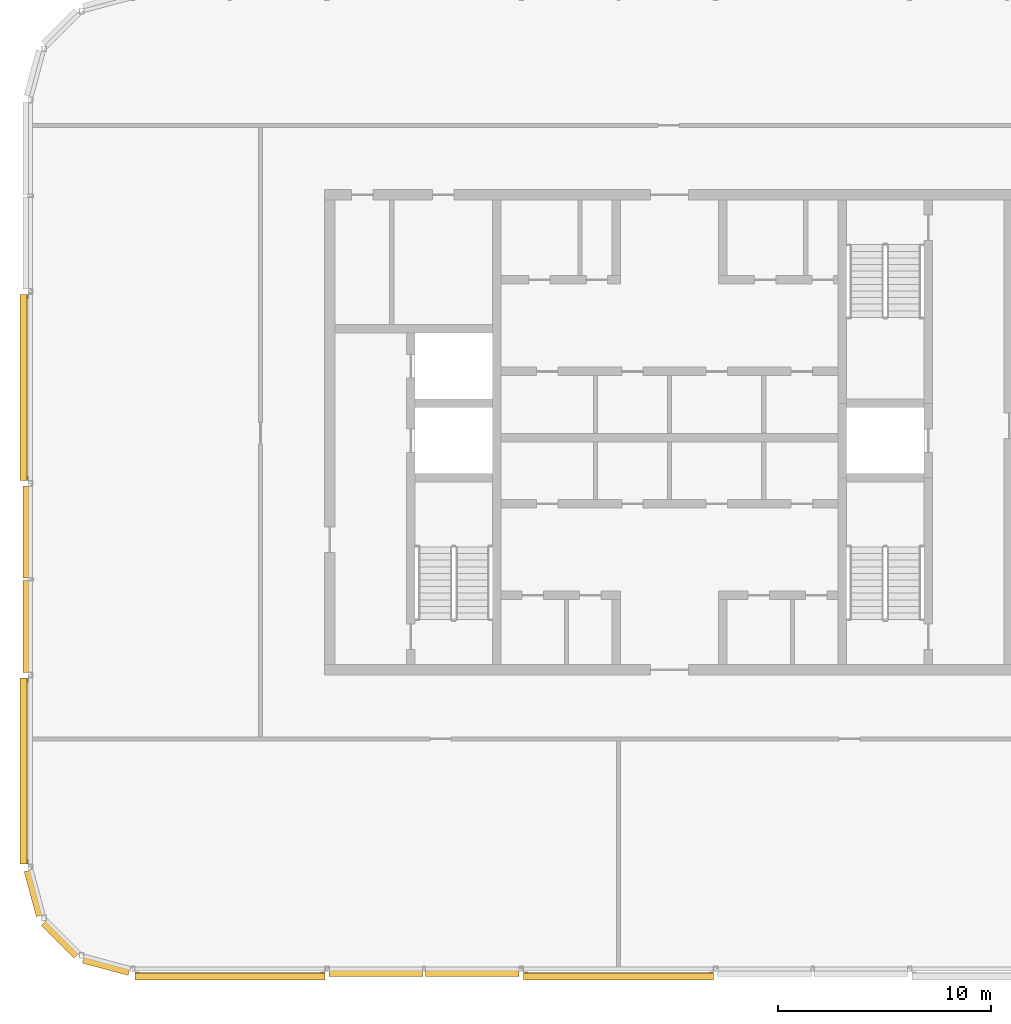
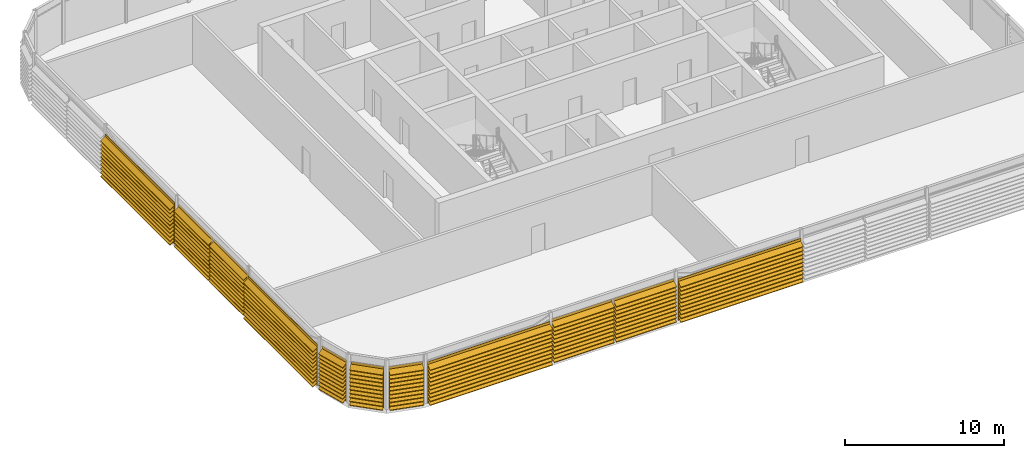
# One storey, part 24 of 28: 11 shading devices.
"""IFC4 building model written with IfcOpenShell, lengths in metres."""

from ifc_helpers import new_model, si_unit, direction, frame, origin, place, context, subcontext, project, spatial, polyline, outline, extrude, material, type_object, element, save


model = new_model("IFC4")

# Units and contexts
model_context = context("Model", 3, precision=1e-05, world=origin(), true_north=direction((0.0, 1.0)))
body_context = subcontext(model_context, "Body", "Model", "MODEL_VIEW")
ifc_project = project(units=[si_unit("LENGTHUNIT", "METRE"), si_unit("AREAUNIT", "SQUARE_METRE"), si_unit("VOLUMEUNIT", "CUBIC_METRE"), si_unit("PLANEANGLEUNIT", "RADIAN"), si_unit("MASSUNIT", "GRAM", prefix="KILO")], contexts=[model_context])

# Site, building, storey
site_placement = place(None, origin())
site = spatial("IfcSite", under=ifc_project, at=site_placement, CompositionType="ELEMENT")
building_placement = place(site_placement, origin())
building = spatial("IfcBuilding", under=site, at=building_placement, Name="Madar Terraces", CompositionType="ELEMENT")
storey_placement = place(building_placement, frame((0.0, 0.0, 310.10009765625)))
storey = spatial("IfcBuildingStorey", under=building, at=storey_placement, Name="L80", CompositionType="ELEMENT", Elevation=310.10009765625)

# Shading devices
ifc_material = material(Name="Aluminium, black anodised", Category="aluminium")
shading_device_type = type_object("IfcShadingDeviceType", Name="Crown louvre bank", PredefinedType="USERDEFINED", material=ifc_material)
shading_device_1_placement = place(storey_placement, frame((6.1015625, 1.199951171875, 0.0), z_axis=(1.0, 0.0, 0.0), x_axis=(0.0, 1.0, 0.0)))
element("IfcShadingDevice", 1, at=shading_device_1_placement, inside=storey, type_object=shading_device_type, Name="LOUVRE bank L80 1.1", ObjectType="LOUVRE", PredefinedType="USERDEFINED", context=body_context, shape_type="SweptSolid", body=[
    extrude(outline(polyline([(-0.156982421875, 0.0), (-0.18701171875, 0.0), (-0.18701171875, 0.24951171875), (-0.5146484375, 0.02001953125), (-0.5146484375, 0.06884765625), (-0.18701171875, 0.29833984375), (-0.18701171875, 0.54931640625), (-0.5146484375, 0.320068359375), (-0.5146484375, 0.368896484375), (-0.18701171875, 0.59814453125), (-0.18701171875, 0.849365234375), (-0.5146484375, 0.6201171875), (-0.5146484375, 0.6689453125), (-0.18701171875, 0.898193359375), (-0.18701171875, 1.1494140625), (-0.5146484375, 0.919921875), (-0.5146484375, 0.96875), (-0.18701171875, 1.1982421875), (-0.18701171875, 1.449462890625), (-0.5146484375, 1.219970703125), (-0.5146484375, 1.268798828125), (-0.18701171875, 1.498291015625), (-0.18701171875, 1.74951171875), (-0.5146484375, 1.52001953125), (-0.5146484375, 1.56884765625), (-0.18701171875, 1.79833984375), (-0.18701171875, 2.04931640625), (-0.5146484375, 1.820068359375), (-0.5146484375, 1.868896484375), (-0.18701171875, 2.09814453125), (-0.18701171875, 2.349365234375), (-0.5146484375, 2.1201171875), (-0.5146484375, 2.1689453125), (-0.18701171875, 2.398193359375), (-0.18701171875, 2.6494140625), (-0.5146484375, 2.419921875), (-0.5146484375, 2.46875), (-0.18701171875, 2.6982421875), (-0.18701171875, 2.949462890625), (-0.5146484375, 2.719970703125), (-0.5146484375, 2.768798828125), (-0.18701171875, 2.998291015625), (-0.18701171875, 3.197998046875), (-0.156982421875, 3.197998046875), (-0.156982421875, 0.0)])), origin(), (0.0, 0.0, 1.0), 8.916748046875),
])
shading_device_2_placement = place(storey_placement, frame((15.2216796875, 1.199951171875, 0.0), z_axis=(1.0, 0.0, 0.0), x_axis=(0.0, 1.0, 0.0)))
element("IfcShadingDevice", 2, at=shading_device_2_placement, inside=storey, type_object=shading_device_type, Name="LOUVRE bank L80 2.1", ObjectType="LOUVRE", PredefinedType="USERDEFINED", context=body_context, shape_type="SweptSolid", body=[
    extrude(outline(polyline([(0.014892578125, 0.0), (-0.014892578125, 0.0), (-0.014892578125, 0.24951171875), (-0.3427734375, 0.02001953125), (-0.3427734375, 0.06884765625), (-0.014892578125, 0.29833984375), (-0.014892578125, 0.54931640625), (-0.3427734375, 0.320068359375), (-0.3427734375, 0.368896484375), (-0.014892578125, 0.59814453125), (-0.014892578125, 0.849365234375), (-0.3427734375, 0.6201171875), (-0.3427734375, 0.6689453125), (-0.014892578125, 0.898193359375), (-0.014892578125, 1.1494140625), (-0.3427734375, 0.919921875), (-0.3427734375, 0.96875), (-0.014892578125, 1.1982421875), (-0.014892578125, 1.449462890625), (-0.3427734375, 1.219970703125), (-0.3427734375, 1.268798828125), (-0.014892578125, 1.498291015625), (-0.014892578125, 1.74951171875), (-0.3427734375, 1.52001953125), (-0.3427734375, 1.56884765625), (-0.014892578125, 1.79833984375), (-0.014892578125, 2.04931640625), (-0.3427734375, 1.820068359375), (-0.3427734375, 1.868896484375), (-0.014892578125, 2.09814453125), (-0.014892578125, 2.349365234375), (-0.3427734375, 2.1201171875), (-0.3427734375, 2.1689453125), (-0.014892578125, 2.398193359375), (-0.014892578125, 2.6494140625), (-0.3427734375, 2.419921875), (-0.3427734375, 2.46875), (-0.014892578125, 2.6982421875), (-0.014892578125, 2.949462890625), (-0.3427734375, 2.719970703125), (-0.3427734375, 2.768798828125), (-0.014892578125, 2.998291015625), (-0.014892578125, 3.197998046875), (0.014892578125, 3.197998046875), (0.014892578125, 0.0)])), origin(), (0.0, 0.0, 1.0), 4.394775390625),
])
shading_device_3_placement = place(storey_placement, frame((19.743408203125, 1.199951171875, 0.0), z_axis=(1.0, 0.0, 0.0), x_axis=(0.0, 1.0, 0.0)))
element("IfcShadingDevice", 3, at=shading_device_3_placement, inside=storey, type_object=shading_device_type, Name="LOUVRE bank L80 2.2", ObjectType="LOUVRE", PredefinedType="USERDEFINED", context=body_context, shape_type="SweptSolid", body=[
    extrude(outline(polyline([(0.014892578125, 0.0), (-0.014892578125, 0.0), (-0.014892578125, 0.24951171875), (-0.3427734375, 0.02001953125), (-0.3427734375, 0.06884765625), (-0.014892578125, 0.29833984375), (-0.014892578125, 0.54931640625), (-0.3427734375, 0.320068359375), (-0.3427734375, 0.368896484375), (-0.014892578125, 0.59814453125), (-0.014892578125, 0.849365234375), (-0.3427734375, 0.6201171875), (-0.3427734375, 0.6689453125), (-0.014892578125, 0.898193359375), (-0.014892578125, 1.1494140625), (-0.3427734375, 0.919921875), (-0.3427734375, 0.96875), (-0.014892578125, 1.1982421875), (-0.014892578125, 1.449462890625), (-0.3427734375, 1.219970703125), (-0.3427734375, 1.268798828125), (-0.014892578125, 1.498291015625), (-0.014892578125, 1.74951171875), (-0.3427734375, 1.52001953125), (-0.3427734375, 1.56884765625), (-0.014892578125, 1.79833984375), (-0.014892578125, 2.04931640625), (-0.3427734375, 1.820068359375), (-0.3427734375, 1.868896484375), (-0.014892578125, 2.09814453125), (-0.014892578125, 2.349365234375), (-0.3427734375, 2.1201171875), (-0.3427734375, 2.1689453125), (-0.014892578125, 2.398193359375), (-0.014892578125, 2.6494140625), (-0.3427734375, 2.419921875), (-0.3427734375, 2.46875), (-0.014892578125, 2.6982421875), (-0.014892578125, 2.949462890625), (-0.3427734375, 2.719970703125), (-0.3427734375, 2.768798828125), (-0.014892578125, 2.998291015625), (-0.014892578125, 3.197998046875), (0.014892578125, 3.197998046875), (0.014892578125, 0.0)])), origin(), (0.0, 0.0, 1.0), 4.39501953125),
])
shading_device_4_placement = place(storey_placement, frame((24.341552734375, 1.199951171875, 0.0), z_axis=(1.0, 0.0, 0.0), x_axis=(0.0, 1.0, 0.0)))
element("IfcShadingDevice", 4, at=shading_device_4_placement, inside=storey, type_object=shading_device_type, Name="LOUVRE bank L80 3.1", ObjectType="LOUVRE", PredefinedType="USERDEFINED", context=body_context, shape_type="SweptSolid", body=[
    extrude(outline(polyline([(-0.156982421875, 0.0), (-0.18701171875, 0.0), (-0.18701171875, 0.24951171875), (-0.5146484375, 0.02001953125), (-0.5146484375, 0.06884765625), (-0.18701171875, 0.29833984375), (-0.18701171875, 0.54931640625), (-0.5146484375, 0.320068359375), (-0.5146484375, 0.368896484375), (-0.18701171875, 0.59814453125), (-0.18701171875, 0.849365234375), (-0.5146484375, 0.6201171875), (-0.5146484375, 0.6689453125), (-0.18701171875, 0.898193359375), (-0.18701171875, 1.1494140625), (-0.5146484375, 0.919921875), (-0.5146484375, 0.96875), (-0.18701171875, 1.1982421875), (-0.18701171875, 1.449462890625), (-0.5146484375, 1.219970703125), (-0.5146484375, 1.268798828125), (-0.18701171875, 1.498291015625), (-0.18701171875, 1.74951171875), (-0.5146484375, 1.52001953125), (-0.5146484375, 1.56884765625), (-0.18701171875, 1.79833984375), (-0.18701171875, 2.04931640625), (-0.5146484375, 1.820068359375), (-0.5146484375, 1.868896484375), (-0.18701171875, 2.09814453125), (-0.18701171875, 2.349365234375), (-0.5146484375, 2.1201171875), (-0.5146484375, 2.1689453125), (-0.18701171875, 2.398193359375), (-0.18701171875, 2.6494140625), (-0.5146484375, 2.419921875), (-0.5146484375, 2.46875), (-0.18701171875, 2.6982421875), (-0.18701171875, 2.949462890625), (-0.5146484375, 2.719970703125), (-0.5146484375, 2.768798828125), (-0.18701171875, 2.998291015625), (-0.18701171875, 3.197998046875), (-0.156982421875, 3.197998046875), (-0.156982421875, 0.0)])), origin(), (0.0, 0.0, 1.0), 8.916748046875),
])
shading_device_5_placement = place(storey_placement, frame((1.199951171875, 32.873046875, 0.0), z_axis=(0.0, -1.0, 0.0), x_axis=(1.0, 0.0, 0.0)))
element("IfcShadingDevice", 5, at=shading_device_5_placement, inside=storey, type_object=shading_device_type, Name="LOUVRE bank L80 25.1", ObjectType="LOUVRE", PredefinedType="USERDEFINED", context=body_context, shape_type="SweptSolid", body=[
    extrude(outline(polyline([(-0.131591796875, 0.0), (-0.16162109375, 0.0), (-0.16162109375, 0.24951171875), (-0.4892578125, 0.02001953125), (-0.4892578125, 0.06884765625), (-0.16162109375, 0.29833984375), (-0.16162109375, 0.54931640625), (-0.4892578125, 0.320068359375), (-0.4892578125, 0.368896484375), (-0.16162109375, 0.59814453125), (-0.16162109375, 0.849365234375), (-0.4892578125, 0.6201171875), (-0.4892578125, 0.6689453125), (-0.16162109375, 0.898193359375), (-0.16162109375, 1.1494140625), (-0.4892578125, 0.919921875), (-0.4892578125, 0.96875), (-0.16162109375, 1.1982421875), (-0.16162109375, 1.449462890625), (-0.4892578125, 1.219970703125), (-0.4892578125, 1.268798828125), (-0.16162109375, 1.498291015625), (-0.16162109375, 1.74951171875), (-0.4892578125, 1.52001953125), (-0.4892578125, 1.56884765625), (-0.16162109375, 1.79833984375), (-0.16162109375, 2.04931640625), (-0.4892578125, 1.820068359375), (-0.4892578125, 1.868896484375), (-0.16162109375, 2.09814453125), (-0.16162109375, 2.349365234375), (-0.4892578125, 2.1201171875), (-0.4892578125, 2.1689453125), (-0.16162109375, 2.398193359375), (-0.16162109375, 2.6494140625), (-0.4892578125, 2.419921875), (-0.4892578125, 2.46875), (-0.16162109375, 2.6982421875), (-0.16162109375, 2.949462890625), (-0.4892578125, 2.719970703125), (-0.4892578125, 2.768798828125), (-0.16162109375, 2.998291015625), (-0.16162109375, 3.197998046875), (-0.131591796875, 3.197998046875), (-0.131591796875, 0.0)])), origin(), (0.0, 0.0, 1.0), 8.74609375),
])
for number, where, z_axis, x_axis, name in (
    (6, (1.199951171875, 23.873046875, 0.0), (0.0, -1.0, 0.0), (1.0, 0.0, 0.0), "LOUVRE bank L80 26.1"),
    (7, (1.199951171875, 19.4365234375, 0.0), (0.0, -1.0, 0.0), (1.0, 0.0, 0.0), "LOUVRE bank L80 26.2"),
):
    element("IfcShadingDevice", number, at=place(storey_placement, frame(where, z_axis=z_axis, x_axis=x_axis)), inside=storey, type_object=shading_device_type, Name=name, ObjectType="LOUVRE", PredefinedType="USERDEFINED", context=body_context, shape_type="SweptSolid", body=[
        extrude(outline(polyline([(0.014892578125, 0.0), (-0.014892578125, 0.0), (-0.014892578125, 0.24951171875), (-0.3427734375, 0.02001953125), (-0.3427734375, 0.06884765625), (-0.014892578125, 0.29833984375), (-0.014892578125, 0.54931640625), (-0.3427734375, 0.320068359375), (-0.3427734375, 0.368896484375), (-0.014892578125, 0.59814453125), (-0.014892578125, 0.849365234375), (-0.3427734375, 0.6201171875), (-0.3427734375, 0.6689453125), (-0.014892578125, 0.898193359375), (-0.014892578125, 1.1494140625), (-0.3427734375, 0.919921875), (-0.3427734375, 0.96875), (-0.014892578125, 1.1982421875), (-0.014892578125, 1.449462890625), (-0.3427734375, 1.219970703125), (-0.3427734375, 1.268798828125), (-0.014892578125, 1.498291015625), (-0.014892578125, 1.74951171875), (-0.3427734375, 1.52001953125), (-0.3427734375, 1.56884765625), (-0.014892578125, 1.79833984375), (-0.014892578125, 2.04931640625), (-0.3427734375, 1.820068359375), (-0.3427734375, 1.868896484375), (-0.014892578125, 2.09814453125), (-0.014892578125, 2.349365234375), (-0.3427734375, 2.1201171875), (-0.3427734375, 2.1689453125), (-0.014892578125, 2.398193359375), (-0.014892578125, 2.6494140625), (-0.3427734375, 2.419921875), (-0.3427734375, 2.46875), (-0.014892578125, 2.6982421875), (-0.014892578125, 2.949462890625), (-0.3427734375, 2.719970703125), (-0.3427734375, 2.768798828125), (-0.014892578125, 2.998291015625), (-0.014892578125, 3.197998046875), (0.014892578125, 3.197998046875), (0.014892578125, 0.0)])), origin(), (0.0, 0.0, 1.0), 4.3095703125),
    ])
shading_device_6_placement = place(storey_placement, frame((1.199951171875, 14.873046875, 0.0), z_axis=(0.0, -1.0, 0.0), x_axis=(1.0, 0.0, 0.0)))
element("IfcShadingDevice", 8, at=shading_device_6_placement, inside=storey, type_object=shading_device_type, Name="LOUVRE bank L80 27.1", ObjectType="LOUVRE", PredefinedType="USERDEFINED", context=body_context, shape_type="SweptSolid", body=[
    extrude(outline(polyline([(-0.131591796875, 0.0), (-0.16162109375, 0.0), (-0.16162109375, 0.24951171875), (-0.4892578125, 0.02001953125), (-0.4892578125, 0.06884765625), (-0.16162109375, 0.29833984375), (-0.16162109375, 0.54931640625), (-0.4892578125, 0.320068359375), (-0.4892578125, 0.368896484375), (-0.16162109375, 0.59814453125), (-0.16162109375, 0.849365234375), (-0.4892578125, 0.6201171875), (-0.4892578125, 0.6689453125), (-0.16162109375, 0.898193359375), (-0.16162109375, 1.1494140625), (-0.4892578125, 0.919921875), (-0.4892578125, 0.96875), (-0.16162109375, 1.1982421875), (-0.16162109375, 1.449462890625), (-0.4892578125, 1.219970703125), (-0.4892578125, 1.268798828125), (-0.16162109375, 1.498291015625), (-0.16162109375, 1.74951171875), (-0.4892578125, 1.52001953125), (-0.4892578125, 1.56884765625), (-0.16162109375, 1.79833984375), (-0.16162109375, 2.04931640625), (-0.4892578125, 1.820068359375), (-0.4892578125, 1.868896484375), (-0.16162109375, 2.09814453125), (-0.16162109375, 2.349365234375), (-0.4892578125, 2.1201171875), (-0.4892578125, 2.1689453125), (-0.16162109375, 2.398193359375), (-0.16162109375, 2.6494140625), (-0.4892578125, 2.419921875), (-0.4892578125, 2.46875), (-0.16162109375, 2.6982421875), (-0.16162109375, 2.949462890625), (-0.4892578125, 2.719970703125), (-0.4892578125, 2.768798828125), (-0.16162109375, 2.998291015625), (-0.16162109375, 3.197998046875), (-0.131591796875, 3.197998046875), (-0.131591796875, 0.0)])), origin(), (0.0, 0.0, 1.0), 8.74609375),
])
shading_device_7_placement = place(storey_placement, frame((1.238525390625, 5.856201171875, 0.0), z_axis=(0.258788169352, -0.965934098893, 0.0), x_axis=(0.965934098893, 0.258788169352, 0.0)))
element("IfcShadingDevice", 9, at=shading_device_7_placement, inside=storey, type_object=shading_device_type, Name="LOUVRE bank L80 28.1", ObjectType="LOUVRE", PredefinedType="USERDEFINED", context=body_context, shape_type="SweptSolid", body=[
    extrude(outline(polyline([(0.014892578125, 0.0), (-0.014892578125, 0.0), (-0.014892578125, 0.24951171875), (-0.3427734375, 0.02001953125), (-0.3427734375, 0.06884765625), (-0.014892578125, 0.29833984375), (-0.014892578125, 0.54931640625), (-0.3427734375, 0.320068359375), (-0.3427734375, 0.368896484375), (-0.014892578125, 0.59814453125), (-0.014892578125, 0.849365234375), (-0.3427734375, 0.6201171875), (-0.3427734375, 0.6689453125), (-0.014892578125, 0.898193359375), (-0.014892578125, 1.1494140625), (-0.3427734375, 0.919921875), (-0.3427734375, 0.96875), (-0.014892578125, 1.1982421875), (-0.014892578125, 1.449462890625), (-0.3427734375, 1.219970703125), (-0.3427734375, 1.268798828125), (-0.014892578125, 1.498291015625), (-0.014892578125, 1.74951171875), (-0.3427734375, 1.52001953125), (-0.3427734375, 1.56884765625), (-0.014892578125, 1.79833984375), (-0.014892578125, 2.04931640625), (-0.3427734375, 1.820068359375), (-0.3427734375, 1.868896484375), (-0.014892578125, 2.09814453125), (-0.014892578125, 2.349365234375), (-0.3427734375, 2.1201171875), (-0.3427734375, 2.1689453125), (-0.014892578125, 2.398193359375), (-0.014892578125, 2.6494140625), (-0.3427734375, 2.419921875), (-0.3427734375, 2.46875), (-0.014892578125, 2.6982421875), (-0.014892578125, 2.949462890625), (-0.3427734375, 2.719970703125), (-0.3427734375, 2.768798828125), (-0.014892578125, 2.998291015625), (-0.014892578125, 3.197998046875), (0.014892578125, 3.197998046875), (0.014892578125, 0.0)])), origin(), (0.0, 0.0, 1.0), 2.186767578125),
])
shading_device_8_placement = place(storey_placement, frame((1.957275390625, 3.485595703125, 0.0), z_axis=(0.707106781187, -0.707106781187, 0.0), x_axis=(0.707106781187, 0.707106781187, 0.0)))
element("IfcShadingDevice", 10, at=shading_device_8_placement, inside=storey, type_object=shading_device_type, Name="LOUVRE bank L80 29.1", ObjectType="LOUVRE", PredefinedType="USERDEFINED", context=body_context, shape_type="SweptSolid", body=[
    extrude(outline(polyline([(0.014892578125, 0.0), (-0.014892578125, 0.0), (-0.014892578125, 0.24951171875), (-0.3427734375, 0.02001953125), (-0.3427734375, 0.06884765625), (-0.014892578125, 0.29833984375), (-0.014892578125, 0.54931640625), (-0.3427734375, 0.320068359375), (-0.3427734375, 0.368896484375), (-0.014892578125, 0.59814453125), (-0.014892578125, 0.849365234375), (-0.3427734375, 0.6201171875), (-0.3427734375, 0.6689453125), (-0.014892578125, 0.898193359375), (-0.014892578125, 1.1494140625), (-0.3427734375, 0.919921875), (-0.3427734375, 0.96875), (-0.014892578125, 1.1982421875), (-0.014892578125, 1.449462890625), (-0.3427734375, 1.219970703125), (-0.3427734375, 1.268798828125), (-0.014892578125, 1.498291015625), (-0.014892578125, 1.74951171875), (-0.3427734375, 1.52001953125), (-0.3427734375, 1.56884765625), (-0.014892578125, 1.79833984375), (-0.014892578125, 2.04931640625), (-0.3427734375, 1.820068359375), (-0.3427734375, 1.868896484375), (-0.014892578125, 2.09814453125), (-0.014892578125, 2.349365234375), (-0.3427734375, 2.1201171875), (-0.3427734375, 2.1689453125), (-0.014892578125, 2.398193359375), (-0.014892578125, 2.6494140625), (-0.3427734375, 2.419921875), (-0.3427734375, 2.46875), (-0.014892578125, 2.6982421875), (-0.014892578125, 2.949462890625), (-0.3427734375, 2.719970703125), (-0.3427734375, 2.768798828125), (-0.014892578125, 2.998291015625), (-0.014892578125, 3.197998046875), (0.014892578125, 3.197998046875), (0.014892578125, 0.0)])), origin(), (0.0, 0.0, 1.0), 2.161376953125),
])
shading_device_9_placement = place(storey_placement, frame((3.7265625, 1.80908203125, 0.0), z_axis=(0.965935304808, -0.258783668197, 0.0), x_axis=(0.258783668197, 0.965935304808, 0.0)))
element("IfcShadingDevice", 11, at=shading_device_9_placement, inside=storey, type_object=shading_device_type, Name="LOUVRE bank L80 30.1", ObjectType="LOUVRE", PredefinedType="USERDEFINED", context=body_context, shape_type="SweptSolid", body=[
    extrude(outline(polyline([(0.014892578125, 0.0), (-0.014892578125, 0.0), (-0.014892578125, 0.24951171875), (-0.3427734375, 0.02001953125), (-0.3427734375, 0.06884765625), (-0.014892578125, 0.29833984375), (-0.014892578125, 0.54931640625), (-0.3427734375, 0.320068359375), (-0.3427734375, 0.368896484375), (-0.014892578125, 0.59814453125), (-0.014892578125, 0.849365234375), (-0.3427734375, 0.6201171875), (-0.3427734375, 0.6689453125), (-0.014892578125, 0.898193359375), (-0.014892578125, 1.1494140625), (-0.3427734375, 0.919921875), (-0.3427734375, 0.96875), (-0.014892578125, 1.1982421875), (-0.014892578125, 1.449462890625), (-0.3427734375, 1.219970703125), (-0.3427734375, 1.268798828125), (-0.014892578125, 1.498291015625), (-0.014892578125, 1.74951171875), (-0.3427734375, 1.52001953125), (-0.3427734375, 1.56884765625), (-0.014892578125, 1.79833984375), (-0.014892578125, 2.04931640625), (-0.3427734375, 1.820068359375), (-0.3427734375, 1.868896484375), (-0.014892578125, 2.09814453125), (-0.014892578125, 2.349365234375), (-0.3427734375, 2.1201171875), (-0.3427734375, 2.1689453125), (-0.014892578125, 2.398193359375), (-0.014892578125, 2.6494140625), (-0.3427734375, 2.419921875), (-0.3427734375, 2.46875), (-0.014892578125, 2.6982421875), (-0.014892578125, 2.949462890625), (-0.3427734375, 2.719970703125), (-0.3427734375, 2.768798828125), (-0.014892578125, 2.998291015625), (-0.014892578125, 3.197998046875), (0.014892578125, 3.197998046875), (0.014892578125, 0.0)])), origin(), (0.0, 0.0, 1.0), 2.22265625),
])

save(model, "model.ifc")
